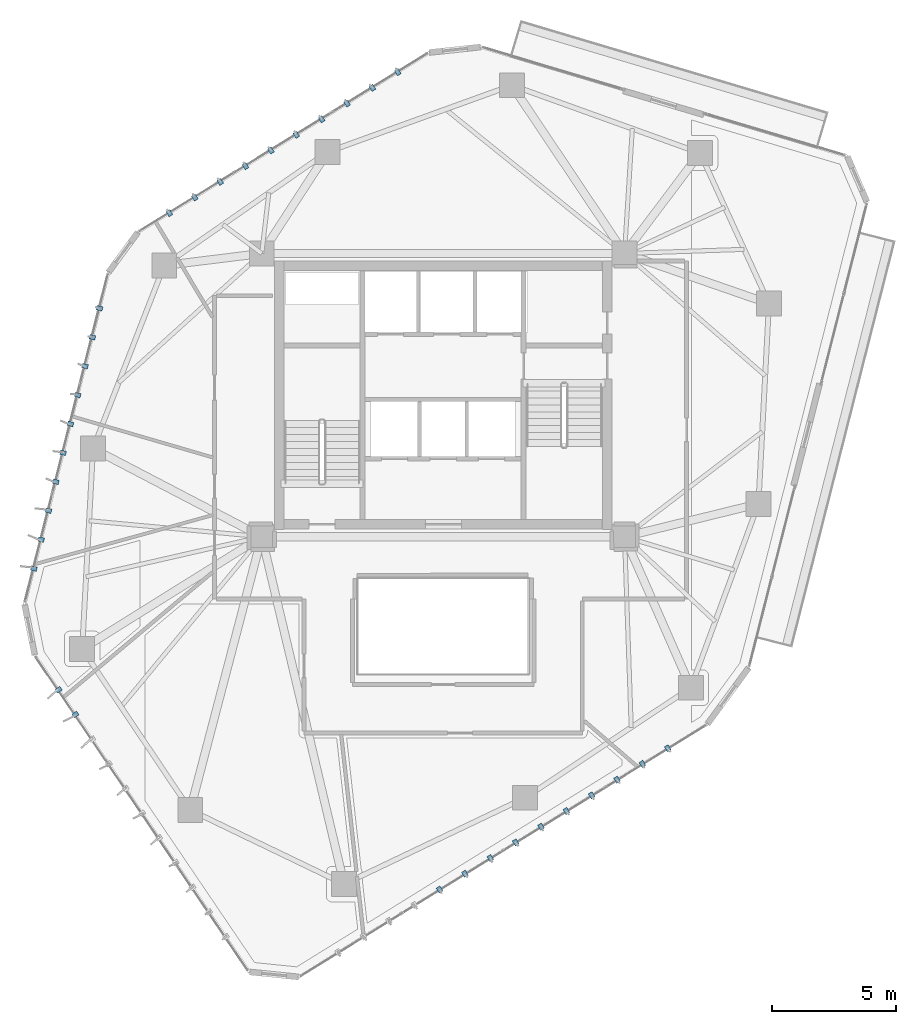
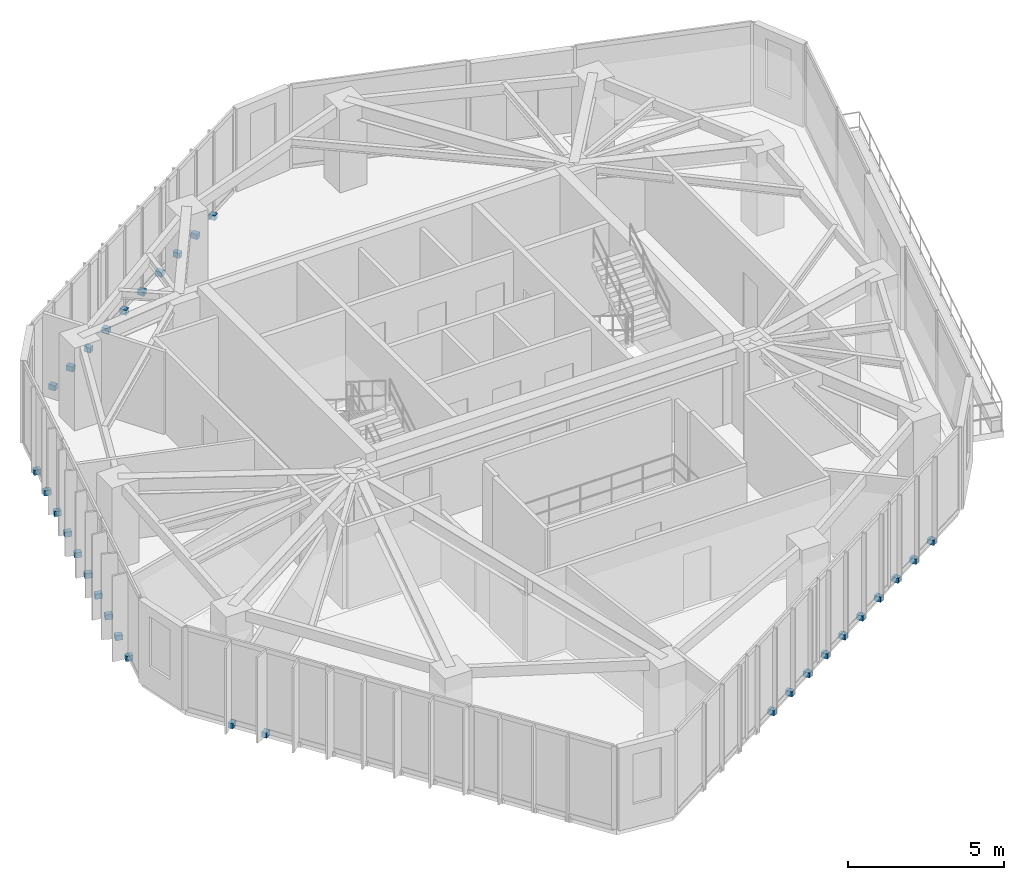
# One storey, part 18 of 21: 32 discrete accessories.
"""IFC4 building model written with IfcOpenShell, lengths in metres."""

from ifc_helpers import new_model, si_unit, direction, frame, origin, origin_2d, place, context, subcontext, project, spatial, rectangle, extrude, source, transform, mapped, material, type_object, type_shapes, element, save


model = new_model("IFC4")

# Units and contexts
model_context = context("Model", 3, precision=1e-05, world=origin(), true_north=direction((0.0, 1.0)))
body_context = subcontext(model_context, "Body", "Model", "MODEL_VIEW")
ifc_project = project(units=[si_unit("LENGTHUNIT", "METRE"), si_unit("AREAUNIT", "SQUARE_METRE"), si_unit("VOLUMEUNIT", "CUBIC_METRE"), si_unit("PLANEANGLEUNIT", "RADIAN"), si_unit("MASSUNIT", "GRAM", prefix="KILO")], contexts=[model_context])

# Site, building, storey
site_placement = place(None, origin())
site = spatial("IfcSite", under=ifc_project, at=site_placement, CompositionType="ELEMENT")
building_placement = place(site_placement, origin())
building = spatial("IfcBuilding", under=site, at=building_placement, Name="Talar Marvaseh", CompositionType="ELEMENT")
storey_placement = place(building_placement, frame((0.0, 0.0, 184.5)))
storey = spatial("IfcBuildingStorey", under=building, at=storey_placement, Name="L48", CompositionType="ELEMENT", Elevation=184.5)

# Discrete accessories
ifc_material = material(Name="Stainless Steel Grade 316", Category="steel")
discrete_accessory_type = type_object("IfcDiscreteAccessoryType", Name="Stainless Slab-Edge Fin Mounting Bracket", PredefinedType="BRACKET", material=ifc_material)
shared_shape = source(origin(), body_context, "Body", "SweptSolid", [
    extrude(rectangle(XDim=0.239990234375, YDim=0.179931640625, at=origin_2d()), origin(), (0.0, 0.0, 1.0), 0.199951171875),
])
type_shapes(discrete_accessory_type, [shared_shape])
for number, where, z_axis, x_axis, name in (
    (1, (11.1962890625, 18.343505859375, -0.18017578125), (0.0, 0.0, 1.0), (-0.828060334622, -0.560638994563, 0.0), "L48 Vertical Fin Slab-Edge Bracket"),
    (2, (10.5234375, 19.33740234375, -0.18017578125), (0.0, 0.0, 1.0), (-0.828060334622, -0.560638994563, 0.0), "L48 Vertical Fin Slab-Edge Bracket"),
    (3, (9.529296875, 24.220947265625, -0.18017578125), (0.0, 0.0, 1.0), (-0.969530919263, 0.244968970675, 0.0), "L48 Vertical Fin Slab-Edge Bracket"),
    (4, (9.8232421875, 25.38427734375, -0.18017578125), (0.0, 0.0, 1.0), (-0.969530919263, 0.244968970675, 0.0), "L48 Vertical Fin Slab-Edge Bracket"),
    (5, (10.1171875, 26.547607421875, -0.18017578125), (0.0, 0.0, 1.0), (-0.969530919263, 0.244968970675, 0.0), "L48 Vertical Fin Slab-Edge Bracket"),
    (6, (10.4111328125, 27.711181640625, -0.18017578125), (0.0, 0.0, 1.0), (-0.969530919263, 0.244968970675, 0.0), "L48 Vertical Fin Slab-Edge Bracket"),
    (7, (10.705078125, 28.87451171875, -0.18017578125), (0.0, 0.0, 1.0), (-0.969530919263, 0.244968970675, 0.0), "L48 Vertical Fin Slab-Edge Bracket"),
    (8, (10.999267578125, 30.0380859375, -0.18017578125), (0.0, 0.0, 1.0), (-0.969530919263, 0.244968970675, 0.0), "L48 Vertical Fin Slab-Edge Bracket"),
    (9, (11.293212890625, 31.201416015625, -0.18017578125), (0.0, 0.0, 1.0), (-0.969530919263, 0.244968970675, 0.0), "L48 Vertical Fin Slab-Edge Bracket"),
    (10, (11.587158203125, 32.364990234375, -0.18017578125), (0.0, 0.0, 1.0), (-0.969530919263, 0.244968970675, 0.0), "L48 Vertical Fin Slab-Edge Bracket"),
    (11, (11.881103515625, 33.5283203125, -0.18017578125), (0.0, 0.0, 1.0), (-0.969530919263, 0.244968970675, 0.0), "L48 Vertical Fin Slab-Edge Bracket"),
    (12, (12.17529296875, 34.691650390625, -0.18017578125), (0.0, 0.0, 1.0), (-0.969530919263, 0.244968970675, 0.0), "L48 Vertical Fin Slab-Edge Bracket"),
    (13, (14.98388671875, 38.5224609375, -0.18017578125), (0.0, 0.0, 1.0), (-0.525174629961, 0.850994481795, 0.0), "L48 Vertical Fin Slab-Edge Bracket"),
    (14, (16.005126953125, 39.152587890625, -0.18017578125), (0.0, 0.0, 1.0), (-0.525174629961, 0.850994481795, 0.0), "L48 Vertical Fin Slab-Edge Bracket"),
    (15, (17.0263671875, 39.782958984375, -0.18017578125), (0.0, 0.0, 1.0), (-0.525174629961, 0.850994481795, 0.0), "L48 Vertical Fin Slab-Edge Bracket"),
    (16, (18.047607421875, 40.4130859375, -0.18017578125), (0.0, 0.0, 1.0), (-0.525174629961, 0.850994481795, 0.0), "L48 Vertical Fin Slab-Edge Bracket"),
    (17, (19.068603515625, 41.04345703125, -0.18017578125), (0.0, 0.0, 1.0), (-0.525174629961, 0.850994481795, 0.0), "L48 Vertical Fin Slab-Edge Bracket"),
    (18, (20.08984375, 41.673583984375, -0.18017578125), (0.0, 0.0, 1.0), (-0.525174629961, 0.850994481795, 0.0), "L48 Vertical Fin Slab-Edge Bracket"),
    (19, (21.111083984375, 42.303955078125, -0.18017578125), (0.0, 0.0, 1.0), (-0.525174629961, 0.850994481795, 0.0), "L48 Vertical Fin Slab-Edge Bracket"),
    (20, (22.132080078125, 42.93408203125, -0.18017578125), (0.0, 0.0, 1.0), (-0.525174629961, 0.850994481795, 0.0), "L48 Vertical Fin Slab-Edge Bracket"),
    (21, (23.1533203125, 43.564208984375, -0.18017578125), (0.0, 0.0, 1.0), (-0.525174629961, 0.850994481795, 0.0), "L48 Vertical Fin Slab-Edge Bracket"),
    (22, (24.174560546875, 44.194580078125, -0.18017578125), (0.0, 0.0, 1.0), (-0.525174629961, 0.850994481795, 0.0), "L48 Vertical Fin Slab-Edge Bracket"),
    (23, (35.040283203125, 16.987060546875, -0.18017578125), (0.0, 0.0, 1.0), (0.526362330098, -0.850260370389, 0.0), "L48 Vertical Fin Slab-Edge Bracket"),
    (24, (34.02001953125, 16.35546875, -0.18017578125), (0.0, 0.0, 1.0), (0.526362330098, -0.850260370389, 0.0), "L48 Vertical Fin Slab-Edge Bracket"),
    (25, (32.999755859375, 15.723876953125, -0.18017578125), (0.0, 0.0, 1.0), (0.526362330098, -0.850260370389, 0.0), "L48 Vertical Fin Slab-Edge Bracket"),
    (26, (31.979248046875, 15.09228515625, -0.18017578125), (0.0, 0.0, 1.0), (0.526362330098, -0.850260370389, 0.0), "L48 Vertical Fin Slab-Edge Bracket"),
    (27, (30.958984375, 14.460693359375, -0.18017578125), (0.0, 0.0, 1.0), (0.526362330098, -0.850260370389, 0.0), "L48 Vertical Fin Slab-Edge Bracket"),
    (28, (29.938720703125, 13.8291015625, -0.18017578125), (0.0, 0.0, 1.0), (0.526362330098, -0.850260370389, 0.0), "L48 Vertical Fin Slab-Edge Bracket"),
    (29, (28.91845703125, 13.197265625, -0.18017578125), (0.0, 0.0, 1.0), (0.526362330098, -0.850260370389, 0.0), "L48 Vertical Fin Slab-Edge Bracket"),
    (30, (27.89794921875, 12.565673828125, -0.18017578125), (0.0, 0.0, 1.0), (0.526362330098, -0.850260370389, 0.0), "L48 Vertical Fin Slab-Edge Bracket"),
    (31, (26.877685546875, 11.93408203125, -0.18017578125), (0.0, 0.0, 1.0), (0.526362330098, -0.850260370389, 0.0), "L48 Vertical Fin Slab-Edge Bracket"),
    (32, (25.857421875, 11.302490234375, -0.18017578125), (0.0, 0.0, 1.0), (0.526362330098, -0.850260370389, 0.0), "L48 Vertical Fin Slab-Edge Bracket"),
):
    element("IfcDiscreteAccessory", number, at=place(storey_placement, frame(where, z_axis=z_axis, x_axis=x_axis)), inside=storey, type_object=discrete_accessory_type, Name=name, PredefinedType="BRACKET", context=body_context, shape_type="MappedRepresentation", body=[
        mapped(shared_shape, transform((0.0, 0.0, 0.0), x_axis=(1.0, 0.0, 0.0), y_axis=(0.0, 1.0, 0.0), z_axis=(0.0, 0.0, 1.0), scale=1.0)),
    ])

save(model, "model.ifc")
